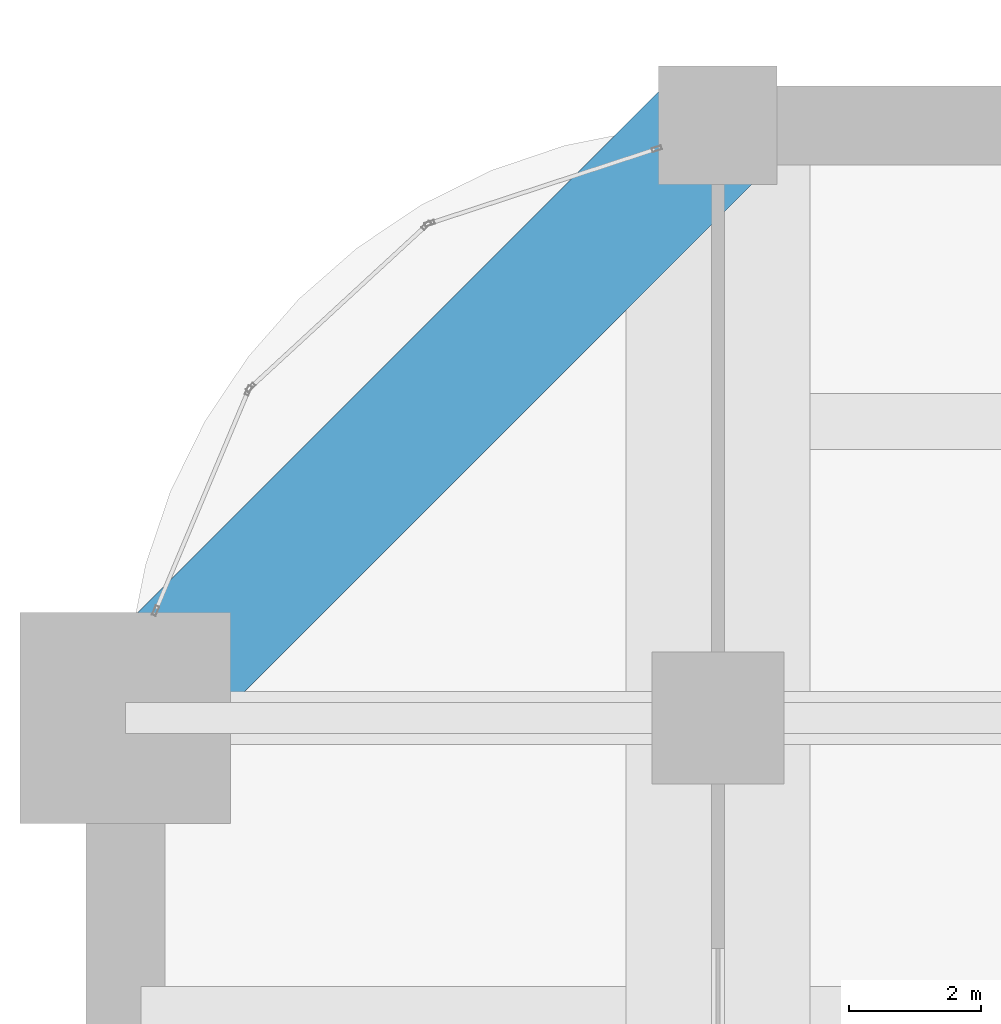
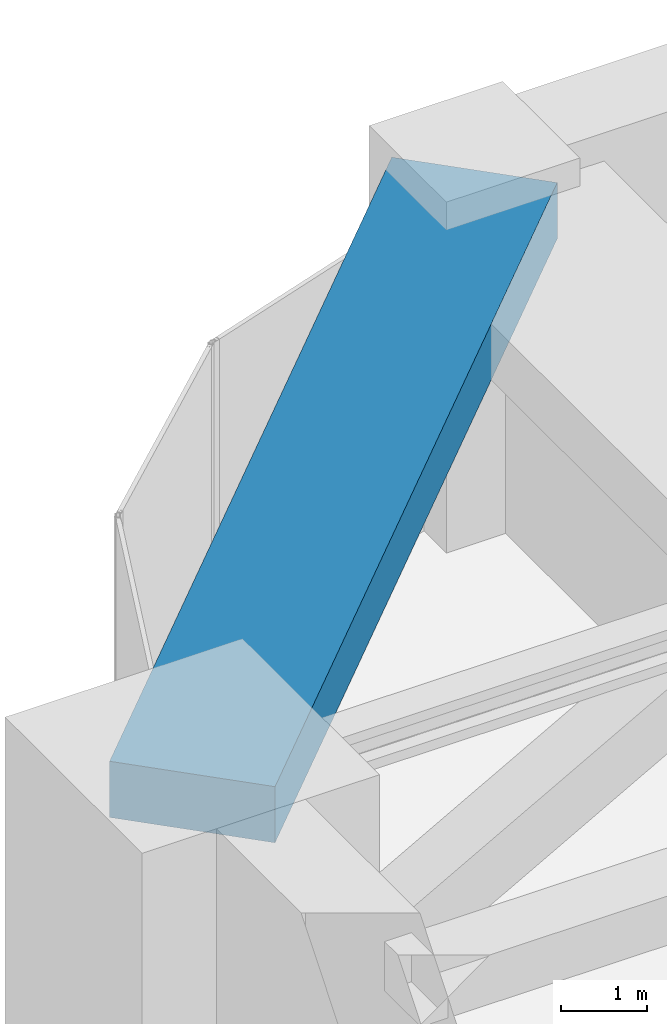
# One storey, part 23 of 38: 1 beam.
"""IFC4 building model written with IfcOpenShell, lengths in metres."""

from ifc_helpers import new_model, si_unit, direction, frame, origin, origin_2d, place, context, subcontext, project, spatial, rectangle, extrude, material, material_profile, profile_set, type_object, element, save


model = new_model("IFC4")

# Units and contexts
model_context = context("Model", 3, precision=1e-05, world=origin(), true_north=direction((0.0, 1.0)))
body_context = subcontext(model_context, "Body", "Model", "MODEL_VIEW")
ifc_project = project(units=[si_unit("LENGTHUNIT", "METRE"), si_unit("AREAUNIT", "SQUARE_METRE"), si_unit("VOLUMEUNIT", "CUBIC_METRE"), si_unit("PLANEANGLEUNIT", "RADIAN"), si_unit("MASSUNIT", "GRAM", prefix="KILO")], contexts=[model_context])

# Site, building, storey
site_placement = place(None, origin())
site = spatial("IfcSite", under=ifc_project, at=site_placement, CompositionType="ELEMENT")
building_placement = place(site_placement, origin())
building = spatial("IfcBuilding", under=site, at=building_placement, Name="Zorevar Civic Tower", CompositionType="ELEMENT")
storey_placement = place(building_placement, frame((0.0, 0.0, 157.199951171875)))
storey = spatial("IfcBuildingStorey", under=building, at=storey_placement, Name="L38", CompositionType="ELEMENT", Elevation=157.199951171875)

# Beam
ifc_material = material(Name="Concrete C50/60", Category="concrete")
ifc_material_profile = material_profile(ifc_material, rectangle(XDim=2.0, YDim=0.800048828125, at=origin_2d()), Name="RC 2000x800")
ifc_profile_set = profile_set([ifc_material_profile], Name="Concrete C50/60")
beam_type = type_object("IfcBeamType", Name="Edge beam RC 2000x800", PredefinedType="SPANDREL", material=ifc_profile_set)
beam_placement = place(storey_placement, frame((9.0, 45.0, 4.199951171875), z_axis=(-0.707106781187, -0.707106781187, 0.0), x_axis=(0.707106781187, -0.707106781187, 0.0)))
element("IfcBeam", 1, at=beam_placement, inside=storey, type_object=beam_type, Name="Corner edge beam L39", PredefinedType="SPANDREL", context=body_context, shape_type="SweptSolid", body=[
    extrude(rectangle(XDim=2.0, YDim=0.800048828125, at=origin_2d()), origin(), (0.0, 0.0, 1.0), 12.72802734375),
])

save(model, "model.ifc")
